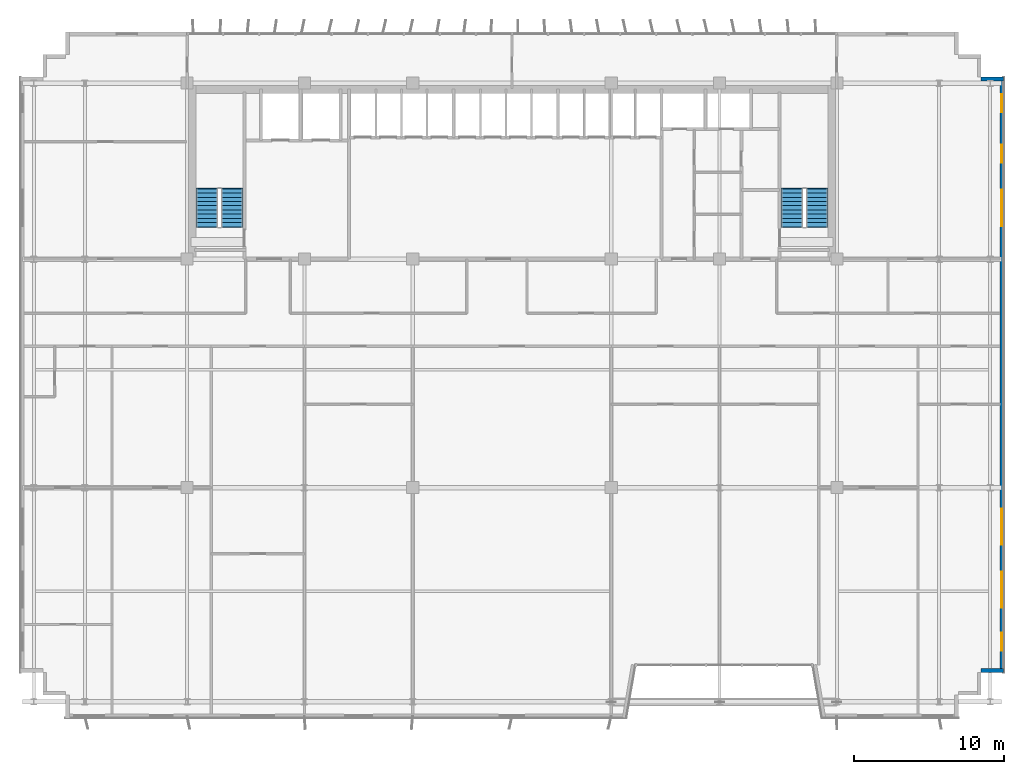
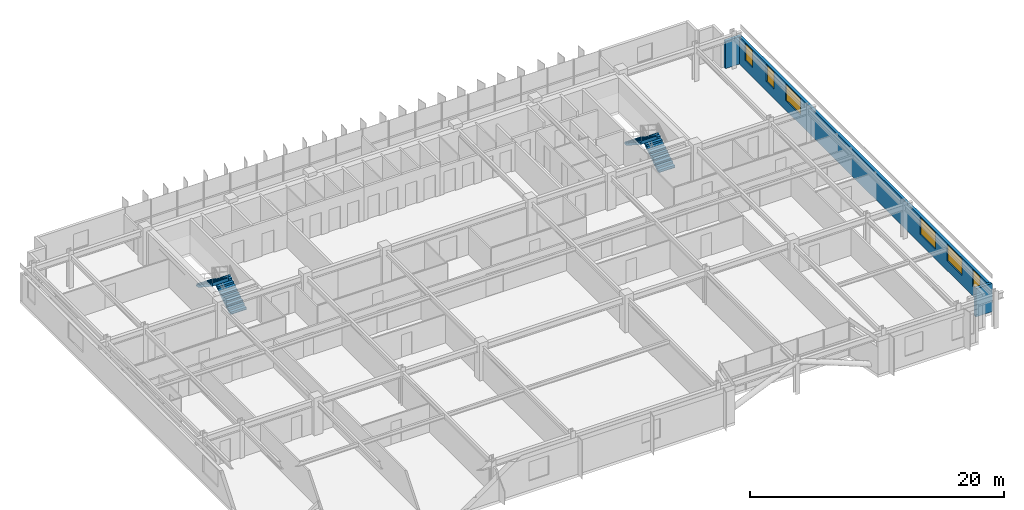
# One storey, part 23 of 26: 6 windows, 4 stair flights, 3 walls, 6 openings, 2 elements without a shape of their own.
"""IFC4 building model written with IfcOpenShell, lengths in metres."""

from ifc_helpers import new_model, si_unit, direction, frame, frame_2d, origin, place, context, subcontext, project, spatial, polyline, rectangle, outline, extrude, source, transform, mapped, material, layer, layer_set, type_object, element, fill, aggregate, save


model = new_model("IFC4")

# Units and contexts
model_context = context("Model", 3, precision=1e-05, world=origin(), true_north=direction((0.0, 1.0)))
body_context = subcontext(model_context, "Body", "Model", "MODEL_VIEW")
ifc_project = project(units=[si_unit("LENGTHUNIT", "METRE"), si_unit("AREAUNIT", "SQUARE_METRE"), si_unit("VOLUMEUNIT", "CUBIC_METRE"), si_unit("PLANEANGLEUNIT", "RADIAN"), si_unit("MASSUNIT", "GRAM", prefix="KILO")], contexts=[model_context])

# Site, building, storey
site_placement = place(None, origin())
site = spatial("IfcSite", under=ifc_project, at=site_placement, CompositionType="ELEMENT")
building_placement = place(site_placement, origin())
building = spatial("IfcBuilding", under=site, at=building_placement, Name="Trelvane Seafront Commons", CompositionType="ELEMENT")
storey_placement = place(building_placement, frame((0.0, 0.0, 128.5)))
storey = spatial("IfcBuildingStorey", under=building, at=storey_placement, Name="L33", CompositionType="ELEMENT", Elevation=128.5)

# Wall
ifc_material_1 = material(Name="Precast concrete C40/50", Category="concrete")
ifc_layer = layer(ifc_material_1, 0.260009765625, Name="ARCH-WALL-EXT260")
ifc_layer_set = layer_set([ifc_layer], Name="Precast concrete C40/50")
wall_type = type_object("IfcWallType", Name="ARCH-WALL-EXT260", PredefinedType="SOLIDWALL", material=ifc_layer_set)
wall_1_placement = place(storey_placement, frame((68.39990234375, 45.3701171875, 0.0), z_axis=(0.0, 0.0, 1.0), x_axis=(1.0, 0.0, 0.0)))
element("IfcWall", 1, at=wall_1_placement, inside=storey, type_object=wall_type, Name="EW-L33-00642", PredefinedType="SOLIDWALL", context=body_context, shape_type="SweptSolid", body=[
    extrude(rectangle(XDim=1.5, YDim=0.260009765625, at=frame_2d((0.75, 0.0))), origin(), (0.0, 0.0, 1.0), 2.632080078125),
])

# Wall, openings, windows
wall_2_placement = place(storey_placement, frame((69.77001953125, 45.5, 0.0), z_axis=(0.0, 0.0, 1.0), x_axis=(0.0, -1.0, 0.0)))
wall_2 = element("IfcWall", 2, at=wall_2_placement, inside=storey, type_object=wall_type, Name="EW-L33-00643", PredefinedType="SOLIDWALL", context=body_context, shape_type="SweptSolid", body=[
    extrude(rectangle(XDim=39.60009765625, YDim=0.260009765625, at=frame_2d((19.800048828125, 0.0))), origin(), (0.0, 0.0, 1.0), 2.632080078125),
])
opening_1_placement = place(wall_2_placement, frame((36.949951171875, 0.0, 0.919921875)))
opening_1 = element("IfcOpeningElement", 3, at=opening_1_placement, cuts=wall_2, Name="Opening W05", PredefinedType="OPENING", context=body_context, shape_type="SweptSolid", body=[
    extrude(rectangle(XDim=1.199951171875, YDim=1.610107421875, at=frame_2d((0.60009765625, 0.80517578125))), frame((0.0, 0.139892578125, 0.0), z_axis=(0.0, -1.0, 0.0), x_axis=(1.0, 0.0, 0.0)), (0.0, 0.0, 1.0), 0.280029296875),
])
opening_2_placement = place(wall_2_placement, frame((32.89990234375, 0.0, 0.919921875)))
opening_2 = element("IfcOpeningElement", 4, at=opening_2_placement, cuts=wall_2, Name="Opening W08", PredefinedType="OPENING", context=body_context, shape_type="SweptSolid", body=[
    extrude(rectangle(XDim=2.39990234375, YDim=1.610107421875, at=frame_2d((1.199951171875, 0.80517578125))), frame((0.0, 0.139892578125, 0.0), z_axis=(0.0, -1.0, 0.0), x_axis=(1.0, 0.0, 0.0)), (0.0, 0.0, 1.0), 0.280029296875),
])
opening_3_placement = place(wall_2_placement, frame((28.699951171875, 0.0, 0.919921875)))
opening_3 = element("IfcOpeningElement", 5, at=opening_3_placement, cuts=wall_2, Name="Opening W08", PredefinedType="OPENING", context=body_context, shape_type="SweptSolid", body=[
    extrude(rectangle(XDim=2.39990234375, YDim=1.610107421875, at=frame_2d((1.199951171875, 0.80517578125))), frame((0.0, 0.139892578125, 0.0), z_axis=(0.0, -1.0, 0.0), x_axis=(1.0, 0.0, 0.0)), (0.0, 0.0, 1.0), 0.280029296875),
])
opening_4_placement = place(wall_2_placement, frame((7.5, 0.0, 0.919921875)))
opening_4 = element("IfcOpeningElement", 6, at=opening_4_placement, cuts=wall_2, Name="Opening W08", PredefinedType="OPENING", context=body_context, shape_type="SweptSolid", body=[
    extrude(rectangle(XDim=2.39990234375, YDim=1.610107421875, at=frame_2d((1.199951171875, 0.80517578125))), frame((0.0, 0.139892578125, 0.0), z_axis=(0.0, -1.0, 0.0), x_axis=(1.0, 0.0, 0.0)), (0.0, 0.0, 1.0), 0.280029296875),
])
opening_5_placement = place(wall_2_placement, frame((4.5, 0.0, 0.919921875)))
opening_5 = element("IfcOpeningElement", 7, at=opening_5_placement, cuts=wall_2, Name="Opening W05", PredefinedType="OPENING", context=body_context, shape_type="SweptSolid", body=[
    extrude(rectangle(XDim=1.199951171875, YDim=1.610107421875, at=frame_2d((0.60009765625, 0.80517578125))), frame((0.0, 0.139892578125, 0.0), z_axis=(0.0, -1.0, 0.0), x_axis=(1.0, 0.0, 0.0)), (0.0, 0.0, 1.0), 0.280029296875),
])
opening_6_placement = place(wall_2_placement, frame((1.14990234375, 0.0, 0.919921875)))
opening_6 = element("IfcOpeningElement", 8, at=opening_6_placement, cuts=wall_2, Name="Opening W05", PredefinedType="OPENING", context=body_context, shape_type="SweptSolid", body=[
    extrude(rectangle(XDim=1.199951171875, YDim=1.610107421875, at=frame_2d((0.60009765625, 0.80517578125))), frame((0.0, 0.139892578125, 0.0), z_axis=(0.0, -1.0, 0.0), x_axis=(1.0, 0.0, 0.0)), (0.0, 0.0, 1.0), 0.280029296875),
])
ifc_material_2 = material(Name="Low-E coastal double glazing", Category="glass")
window_type_1 = type_object("IfcWindowType", Name="ARCH-WIN-W05", PartitioningType="SINGLE_PANEL", PredefinedType="WINDOW", material=ifc_material_2)
shared_shape_1 = source(origin(), body_context, "Body", "SweptSolid", [
    extrude(rectangle(XDim=1.199951171875, YDim=1.610107421875, at=frame_2d((0.60009765625, 0.80517578125))), frame((0.0, 0.030029296875, 0.0), z_axis=(0.0, -1.0, 0.0), x_axis=(1.0, 0.0, 0.0)), (0.0, 0.0, 1.0), 0.06005859375),
])
window_1_placement = place(opening_1_placement, origin())
window_1 = element("IfcWindow", 9, at=window_1_placement, inside=storey, type_object=window_type_1, Name="WIN-L33-EW-00746", OverallHeight=1.610107421875, OverallWidth=1.199951171875, PartitioningType="SINGLE_PANEL", PredefinedType="WINDOW", context=body_context, shape_type="MappedRepresentation", body=[
    mapped(shared_shape_1, transform((0.0, 0.0, 0.0), x_axis=(1.0, 0.0, 0.0), y_axis=(0.0, 1.0, 0.0), z_axis=(0.0, 0.0, 1.0), scale=1.0)),
])
fill(opening_1, window_1)
window_2_placement = place(opening_5_placement, origin())
window_2 = element("IfcWindow", 10, at=window_2_placement, inside=storey, type_object=window_type_1, Name="WIN-L33-EW-00750", OverallHeight=1.610107421875, OverallWidth=1.199951171875, PartitioningType="SINGLE_PANEL", PredefinedType="WINDOW", context=body_context, shape_type="MappedRepresentation", body=[
    mapped(shared_shape_1, transform((0.0, 0.0, 0.0), x_axis=(1.0, 0.0, 0.0), y_axis=(0.0, 1.0, 0.0), z_axis=(0.0, 0.0, 1.0), scale=1.0)),
])
fill(opening_5, window_2)
window_3_placement = place(opening_6_placement, origin())
window_3 = element("IfcWindow", 11, at=window_3_placement, inside=storey, type_object=window_type_1, Name="WIN-L33-EW-00751", OverallHeight=1.610107421875, OverallWidth=1.199951171875, PartitioningType="SINGLE_PANEL", PredefinedType="WINDOW", context=body_context, shape_type="MappedRepresentation", body=[
    mapped(shared_shape_1, transform((0.0, 0.0, 0.0), x_axis=(1.0, 0.0, 0.0), y_axis=(0.0, 1.0, 0.0), z_axis=(0.0, 0.0, 1.0), scale=1.0)),
])
fill(opening_6, window_3)
window_type_2 = type_object("IfcWindowType", Name="ARCH-WIN-W08", PartitioningType="SINGLE_PANEL", PredefinedType="WINDOW", material=ifc_material_2)
shared_shape_2 = source(origin(), body_context, "Body", "SweptSolid", [
    extrude(rectangle(XDim=2.39990234375, YDim=1.610107421875, at=frame_2d((1.199951171875, 0.80517578125))), frame((0.0, 0.030029296875, 0.0), z_axis=(0.0, -1.0, 0.0), x_axis=(1.0, 0.0, 0.0)), (0.0, 0.0, 1.0), 0.06005859375),
])
window_4_placement = place(opening_2_placement, origin())
window_4 = element("IfcWindow", 12, at=window_4_placement, inside=storey, type_object=window_type_2, Name="WIN-L33-EW-00747", OverallHeight=1.610107421875, OverallWidth=2.39990234375, PartitioningType="SINGLE_PANEL", PredefinedType="WINDOW", context=body_context, shape_type="MappedRepresentation", body=[
    mapped(shared_shape_2, transform((0.0, 0.0, 0.0), x_axis=(1.0, 0.0, 0.0), y_axis=(0.0, 1.0, 0.0), z_axis=(0.0, 0.0, 1.0), scale=1.0)),
])
fill(opening_2, window_4)
window_5_placement = place(opening_3_placement, origin())
window_5 = element("IfcWindow", 13, at=window_5_placement, inside=storey, type_object=window_type_2, Name="WIN-L33-EW-00748", OverallHeight=1.610107421875, OverallWidth=2.39990234375, PartitioningType="SINGLE_PANEL", PredefinedType="WINDOW", context=body_context, shape_type="MappedRepresentation", body=[
    mapped(shared_shape_2, transform((0.0, 0.0, 0.0), x_axis=(1.0, 0.0, 0.0), y_axis=(0.0, 1.0, 0.0), z_axis=(0.0, 0.0, 1.0), scale=1.0)),
])
fill(opening_3, window_5)
window_6_placement = place(opening_4_placement, origin())
window_6 = element("IfcWindow", 14, at=window_6_placement, inside=storey, type_object=window_type_2, Name="WIN-L33-EW-00749", OverallHeight=1.610107421875, OverallWidth=2.39990234375, PartitioningType="SINGLE_PANEL", PredefinedType="WINDOW", context=body_context, shape_type="MappedRepresentation", body=[
    mapped(shared_shape_2, transform((0.0, 0.0, 0.0), x_axis=(1.0, 0.0, 0.0), y_axis=(0.0, 1.0, 0.0), z_axis=(0.0, 0.0, 1.0), scale=1.0)),
])
fill(opening_4, window_6)

# Wall
wall_3_placement = place(storey_placement, frame((69.89990234375, 6.030029296875, 0.0), z_axis=(0.0, 0.0, 1.0), x_axis=(-1.0, 0.0, 0.0)))
element("IfcWall", 15, at=wall_3_placement, inside=storey, type_object=wall_type, Name="EW-L33-00644", PredefinedType="SOLIDWALL", context=body_context, shape_type="SweptSolid", body=[
    extrude(rectangle(XDim=1.5, YDim=0.260009765625, at=frame_2d((0.75, 0.0))), origin(), (0.0, 0.0, 1.0), 2.719970703125),
])

# Stair, stair flights
ifc_material_3 = material(Name="Concrete C40/50", Category="concrete")
stair_type_1 = type_object("IfcStairType", Name="ARCH-STR-ST-1-R20-180", PredefinedType="HALF_TURN_STAIR", material=ifc_material_3)
stair_1_placement = place(storey_placement, origin())
stair_1 = element("IfcStair", 16, at=stair_1_placement, inside=storey, type_object=stair_type_1, Name="L33 West Protected Firefighting Exit Stair ST-1", PredefinedType="HALF_TURN_STAIR")
stair_flight_type_1 = type_object("IfcStairFlightType", Name="ARCH-FLG-ST-1-R20-180", PredefinedType="STRAIGHT", material=ifc_material_3)
shared_shape_3 = source(origin(), body_context, "Body", "SweptSolid", [
    extrude(outline(polyline([(-0.050048828125, -0.02001953125), (-0.050048828125, 0.0), (0.0, 0.0), (0.0, 0.179931640625), (0.280029296875, 0.179931640625), (0.280029296875, 0.360107421875), (0.56005859375, 0.360107421875), (0.56005859375, 0.5400390625), (0.840087890625, 0.5400390625), (0.840087890625, 0.719970703125), (1.1201171875, 0.719970703125), (1.1201171875, 0.89990234375), (1.39990234375, 0.89990234375), (1.39990234375, 1.080078125), (1.679931640625, 1.080078125), (1.679931640625, 1.260009765625), (1.9599609375, 1.260009765625), (1.9599609375, 1.43994140625), (2.239990234375, 1.43994140625), (2.239990234375, 1.6201171875), (2.52001953125, 1.6201171875), (2.52001953125, 1.800048828125), (2.570068359375, 1.800048828125), (2.570068359375, 1.650146484375), (2.52001953125, 1.44189453125), (0.277099609375, -0.02001953125), (-0.050048828125, -0.02001953125)])), frame((0.0, 0.72509765625, 0.0), z_axis=(0.0, -1.0, 0.0), x_axis=(1.0, 0.0, 0.0)), (0.0, 0.0, 1.0), 1.449951171875),
])
stair_flight_1_placement = place(storey_placement, frame((18.574951171875, 35.550048828125, 0.0), z_axis=(0.0, 0.0, 1.0), x_axis=(0.0, 1.0, 0.0)))
stair_flight_1 = element("IfcStairFlight", 17, at=stair_flight_1_placement, type_object=stair_flight_type_1, Name="ST-1 flight 1", NumberOfRisers=10, NumberOfTreads=9, PredefinedType="STRAIGHT", RiserHeight=0.18, TreadLength=0.28, context=body_context, shape_type="MappedRepresentation", body=[
    mapped(shared_shape_3, transform((0.0, 0.0, 0.0), x_axis=(1.0, 0.0, 0.0), y_axis=(0.0, 1.0, 0.0), z_axis=(0.0, 0.0, 1.0), scale=1.0)),
])
stair_flight_2_placement = place(storey_placement, frame((16.925048828125, 38.070068359375, 1.800048828125), z_axis=(0.0, 0.0, 1.0), x_axis=(0.0, -1.0, 0.0)))
stair_flight_2 = element("IfcStairFlight", 18, at=stair_flight_2_placement, type_object=stair_flight_type_1, Name="ST-1 flight 2", NumberOfRisers=10, NumberOfTreads=9, PredefinedType="STRAIGHT", RiserHeight=0.18, TreadLength=0.28, context=body_context, shape_type="MappedRepresentation", body=[
    mapped(shared_shape_3, transform((0.0, 0.0, 0.0), x_axis=(1.0, 0.0, 0.0), y_axis=(0.0, 1.0, 0.0), z_axis=(0.0, 0.0, 1.0), scale=1.0)),
])
aggregate(stair_1, [stair_flight_1, stair_flight_2])

stair_type_2 = type_object("IfcStairType", Name="ARCH-STR-ST-2-R20-180", PredefinedType="HALF_TURN_STAIR", material=ifc_material_3)
stair_2_placement = place(storey_placement, origin())
stair_2 = element("IfcStair", 19, at=stair_2_placement, inside=storey, type_object=stair_type_2, Name="L33 East Protected Firefighting Exit Stair ST-2", PredefinedType="HALF_TURN_STAIR")
stair_flight_type_2 = type_object("IfcStairFlightType", Name="ARCH-FLG-ST-2-R20-180", PredefinedType="STRAIGHT", material=ifc_material_3)
stair_flight_3_placement = place(storey_placement, frame((57.47509765625, 35.550048828125, 0.0), z_axis=(0.0, 0.0, 1.0), x_axis=(0.0, 1.0, 0.0)))
stair_flight_3 = element("IfcStairFlight", 20, at=stair_flight_3_placement, type_object=stair_flight_type_2, Name="ST-2 flight 1", NumberOfRisers=10, NumberOfTreads=9, PredefinedType="STRAIGHT", RiserHeight=0.18, TreadLength=0.28, context=body_context, shape_type="MappedRepresentation", body=[
    mapped(shared_shape_3, transform((0.0, 0.0, 0.0), x_axis=(1.0, 0.0, 0.0), y_axis=(0.0, 1.0, 0.0), z_axis=(0.0, 0.0, 1.0), scale=1.0)),
])
stair_flight_4_placement = place(storey_placement, frame((55.824951171875, 38.070068359375, 1.800048828125), z_axis=(0.0, 0.0, 1.0), x_axis=(0.0, -1.0, 0.0)))
stair_flight_4 = element("IfcStairFlight", 21, at=stair_flight_4_placement, type_object=stair_flight_type_2, Name="ST-2 flight 2", NumberOfRisers=10, NumberOfTreads=9, PredefinedType="STRAIGHT", RiserHeight=0.18, TreadLength=0.28, context=body_context, shape_type="MappedRepresentation", body=[
    mapped(shared_shape_3, transform((0.0, 0.0, 0.0), x_axis=(1.0, 0.0, 0.0), y_axis=(0.0, 1.0, 0.0), z_axis=(0.0, 0.0, 1.0), scale=1.0)),
])
aggregate(stair_2, [stair_flight_3, stair_flight_4])

save(model, "model.ifc")
